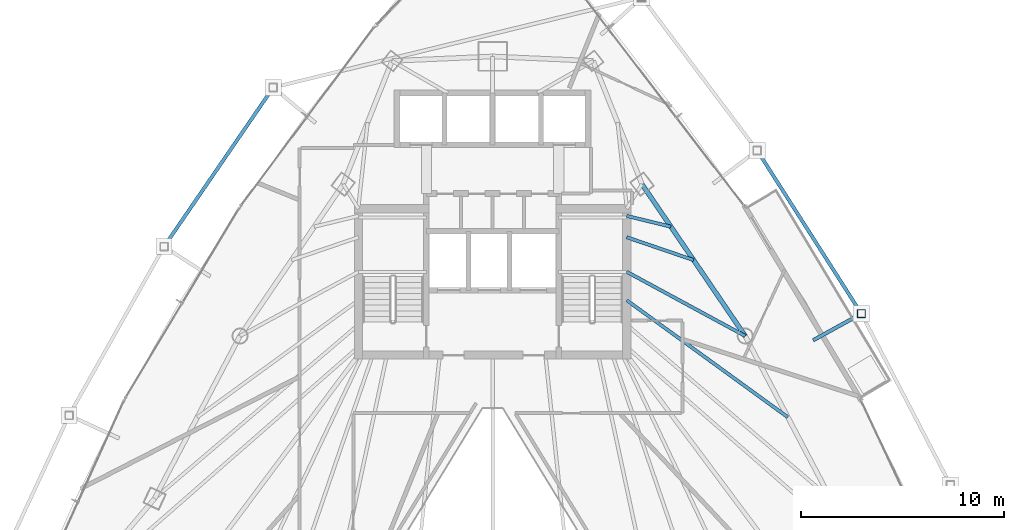
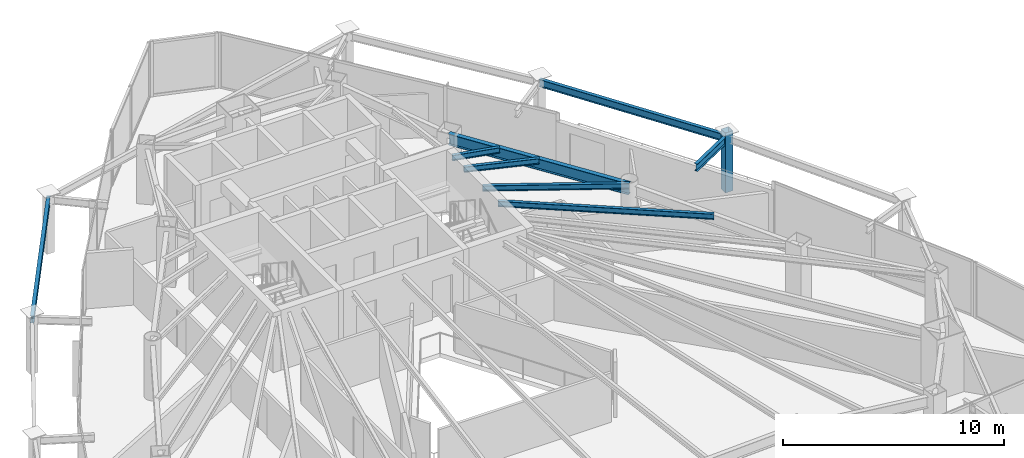
# One storey, part 19 of 31: 8 beams, 1 member.
"""IFC4 building model written with IfcOpenShell, lengths in metres."""

from ifc_helpers import new_model, si_unit, direction, frame, origin, origin_2d, place, context, subcontext, project, spatial, hollow_rectangle, i_section, extrude, material, material_profile, profile_set, type_object, element, save


model = new_model("IFC4")

# Units and contexts
model_context = context("Model", 3, precision=1e-05, world=origin(), true_north=direction((0.0, 1.0)))
body_context = subcontext(model_context, "Body", "Model", "MODEL_VIEW")
ifc_project = project(units=[si_unit("LENGTHUNIT", "METRE"), si_unit("AREAUNIT", "SQUARE_METRE"), si_unit("VOLUMEUNIT", "CUBIC_METRE"), si_unit("PLANEANGLEUNIT", "RADIAN"), si_unit("MASSUNIT", "GRAM", prefix="KILO")], contexts=[model_context])

# Site, building, storey
site_placement = place(None, origin())
site = spatial("IfcSite", under=ifc_project, at=site_placement, CompositionType="ELEMENT")
building_placement = place(site_placement, origin())
building = spatial("IfcBuilding", under=site, at=building_placement, Name="Orvanel Arch Residences", CompositionType="ELEMENT")
storey_placement = place(building_placement, frame((0.0, 0.0, 157.25)))
storey = spatial("IfcBuildingStorey", under=building, at=storey_placement, Name="L44", CompositionType="ELEMENT", Elevation=157.25)

# Beams
ifc_material_1 = material(Name="Structural steel AS/NZS 3679.1 Grade 300 (300 MPa)", Category="steel")
ifc_material_profile_1 = material_profile(ifc_material_1, i_section(OverallWidth=0.1650390625, OverallDepth=0.303955078125, WebThickness=0.006103515625, FlangeThickness=0.01025390625, at=origin_2d()), Name="310UB40.4")
ifc_profile_set_1 = profile_set([ifc_material_profile_1], Name="Structural steel AS/NZS 3679.1 Grade 300 (300 MPa)")
beam_type_1 = type_object("IfcBeamType", Name="BJ-310UB", PredefinedType="JOIST", material=ifc_profile_set_1)
beam_1_placement = place(storey_placement, frame((39.60009765625, 30.800048828125, 2.907958984375), z_axis=(0.87925534649, -0.476350748576, 0.0), x_axis=(0.476350748576, 0.87925534649, 0.0)))
element("IfcBeam", 1, at=beam_1_placement, inside=storey, type_object=beam_type_1, Name="L44 NE Wing Floor Joist", PredefinedType="JOIST", context=body_context, shape_type="SweptSolid", body=[
    extrude(i_section(OverallWidth=0.1650390625, OverallDepth=0.303955078125, WebThickness=0.006103515625, FlangeThickness=0.01025390625, at=origin_2d()), origin(), (0.0, 0.0, 1.0), 6.631591796875),
])
beam_2_placement = place(storey_placement, frame((39.60009765625, 32.5, 2.907958984375), z_axis=(0.9464126781, -0.322959815969, 0.0), x_axis=(0.322959815969, 0.9464126781, 0.0)))
element("IfcBeam", 2, at=beam_2_placement, inside=storey, type_object=beam_type_1, Name="L44 ENE Wing Floor Joist", PredefinedType="JOIST", context=body_context, shape_type="SweptSolid", body=[
    extrude(i_section(OverallWidth=0.1650390625, OverallDepth=0.303955078125, WebThickness=0.006103515625, FlangeThickness=0.01025390625, at=origin_2d()), origin(), (0.0, 0.0, 1.0), 3.477294921875),
])
beam_3_placement = place(storey_placement, frame((39.60009765625, 29.39990234375, 2.907958984375), z_axis=(0.809261403954, -0.587448704203, 0.0), x_axis=(0.587448704203, 0.809261403954, 0.0)))
element("IfcBeam", 3, at=beam_3_placement, inside=storey, type_object=beam_type_1, Name="L44 CTE Wing Floor Joist", PredefinedType="JOIST", context=body_context, shape_type="SweptSolid", body=[
    extrude(i_section(OverallWidth=0.1650390625, OverallDepth=0.303955078125, WebThickness=0.006103515625, FlangeThickness=0.01025390625, at=origin_2d()), origin(), (0.0, 0.0, 1.0), 9.80126953125),
])
beam_4_placement = place(storey_placement, frame((39.60009765625, 33.550048828125, 2.907958984375), z_axis=(0.971638471014, -0.236471312521, 0.0), x_axis=(0.236471312521, 0.971638471014, 0.0)))
element("IfcBeam", 4, at=beam_4_placement, inside=storey, type_object=beam_type_1, Name="L44 JADD4 Wing Floor Joist", PredefinedType="JOIST", context=body_context, shape_type="SweptSolid", body=[
    extrude(i_section(OverallWidth=0.1650390625, OverallDepth=0.303955078125, WebThickness=0.006103515625, FlangeThickness=0.01025390625, at=origin_2d()), origin(), (0.0, 0.0, 1.0), 2.2373046875),
])
ifc_material_profile_2 = material_profile(ifc_material_1, i_section(OverallWidth=0.177978515625, OverallDepth=0.406005859375, WebThickness=0.0078125, FlangeThickness=0.0126953125, at=origin_2d()), Name="410UB59.7")
ifc_profile_set_2 = profile_set([ifc_material_profile_2], Name="Structural steel AS/NZS 3679.1 Grade 300 (300 MPa)")
beam_type_2 = type_object("IfcBeamType", Name="OB-410UB-EXT", PredefinedType="SPANDREL", material=ifc_profile_set_2)
beam_5_placement = place(storey_placement, frame((22.205078125, 39.8720703125, 2.85693359375), z_axis=(-0.565734193371, -0.824587668142, 0.0), x_axis=(0.824587668142, -0.565734193371, 0.0)))
element("IfcBeam", 5, at=beam_5_placement, inside=storey, type_object=beam_type_2, Name="L44 Outer Perimeter Floor Ring Beam 01", PredefinedType="SPANDREL", context=body_context, shape_type="SweptSolid", body=[
    extrude(i_section(OverallWidth=0.177978515625, OverallDepth=0.406005859375, WebThickness=0.0078125, FlangeThickness=0.0126953125, at=origin_2d()), origin(), (0.0, 0.0, 1.0), 9.495849609375),
])
beam_6_placement = place(storey_placement, frame((48.778076171875, 27.429931640625, 2.85693359375), z_axis=(0.875569793648, 0.483091643947, 0.0), x_axis=(-0.483091643947, 0.875569793648, 0.0)))
element("IfcBeam", 6, at=beam_6_placement, inside=storey, type_object=beam_type_2, Name="L44 Outer Frame Radial Tie Beam 10", PredefinedType="SPANDREL", context=body_context, shape_type="SweptSolid", body=[
    extrude(i_section(OverallWidth=0.177978515625, OverallDepth=0.406005859375, WebThickness=0.0078125, FlangeThickness=0.0126953125, at=origin_2d()), origin(), (0.0, 0.0, 1.0), 2.707763671875),
])
beam_7_placement = place(storey_placement, frame((51.14892578125, 28.738037109375, 2.85693359375), z_axis=(-0.537974250415, 0.842961271881, 0.0), x_axis=(-0.842961271881, -0.537974250415, 0.0)))
element("IfcBeam", 7, at=beam_7_placement, inside=storey, type_object=beam_type_2, Name="L44 Outer Perimeter Floor Ring Beam 10", PredefinedType="SPANDREL", context=body_context, shape_type="SweptSolid", body=[
    extrude(i_section(OverallWidth=0.177978515625, OverallDepth=0.406005859375, WebThickness=0.0078125, FlangeThickness=0.0126953125, at=origin_2d()), origin(), (0.0, 0.0, 1.0), 9.5283203125),
])
ifc_material_profile_3 = material_profile(ifc_material_1, i_section(OverallWidth=0.22900390625, OverallDepth=0.612060546875, WebThickness=0.011962890625, FlangeThickness=0.01953125, at=origin_2d()), Name="610UB125")
ifc_profile_set_3 = profile_set([ifc_material_profile_3], Name="Structural steel AS/NZS 3679.1 Grade 300 (300 MPa)")
beam_type_3 = type_object("IfcBeamType", Name="SP-610UB", PredefinedType="SPANDREL", material=ifc_profile_set_3)
beam_8_placement = place(storey_placement, frame((45.430908203125, 27.64111328125, 2.75390625), z_axis=(-0.562154793153, 0.827032035978, 0.0), x_axis=(-0.827032035978, -0.562154793153, 0.0)))
element("IfcBeam", 8, at=beam_8_placement, inside=storey, type_object=beam_type_3, Name="L44 Perimeter Spandrel Beam 12", PredefinedType="SPANDREL", context=body_context, shape_type="SweptSolid", body=[
    extrude(i_section(OverallWidth=0.22900390625, OverallDepth=0.612060546875, WebThickness=0.011962890625, FlangeThickness=0.01953125, at=origin_2d()), origin(), (0.0, 0.0, 1.0), 9.03466796875),
])

# Member
ifc_material_2 = material(Name="Structural steel AS/NZS 1163 C450L0 (Grade 450)", Category="steel")
ifc_material_profile_4 = material_profile(ifc_material_2, hollow_rectangle(XDim=0.39990234375, YDim=0.39990234375, WallThickness=0.01611328125, at=origin_2d()), Name="SHS400x400x16")
ifc_profile_set_4 = profile_set([ifc_material_profile_4], Name="Structural steel AS/NZS 1163 C450L0 (Grade 450)")
member_type = type_object("IfcMemberType", Name="ST-400SHS-EXT", PredefinedType="STRUT", material=ifc_profile_set_4)
member_placement = place(storey_placement, frame((51.14892578125, 28.738037109375, 0.0), z_axis=(0.0, 0.0, 1.0), x_axis=(1.0, 0.0, 0.0)))
element("IfcMember", 9, at=member_placement, inside=storey, type_object=member_type, Name="L44 Outer Perimeter Frame Post 10", PredefinedType="STRUT", context=body_context, shape_type="SweptSolid", body=[
    extrude(hollow_rectangle(XDim=0.39990234375, YDim=0.39990234375, WallThickness=0.01611328125, at=origin_2d()), origin(), (0.0, 0.0, 1.0), 3.300048828125),
])

save(model, "model.ifc")
